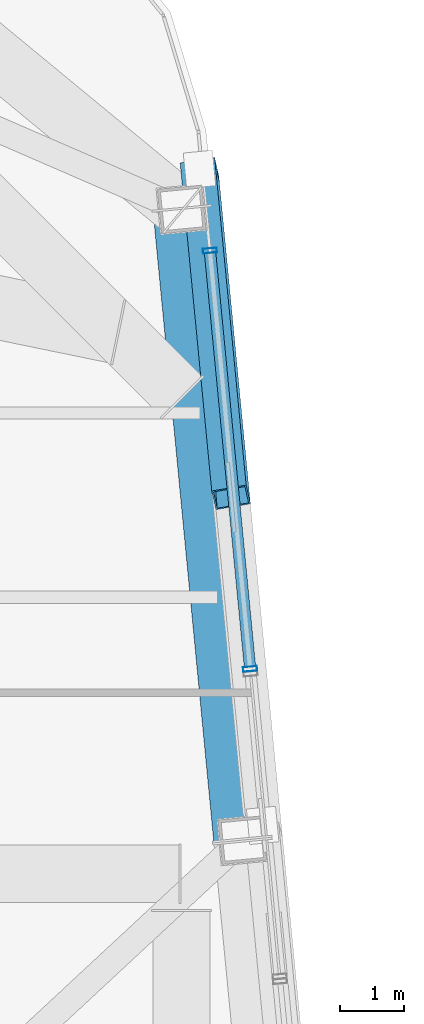
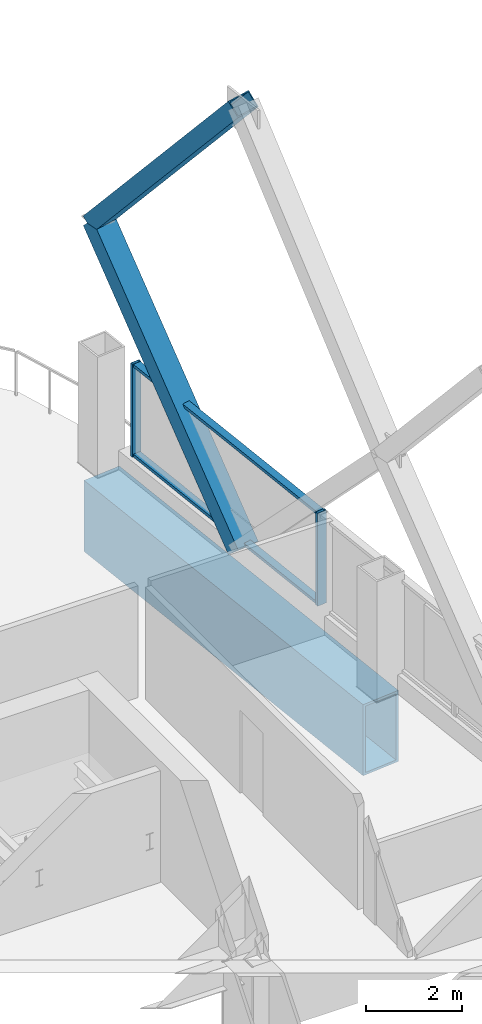
# One storey, part 27 of 37: 6 members, 1 beam, 1 element without a shape of its own.
"""IFC4 building model written with IfcOpenShell, lengths in metres."""

from ifc_helpers import new_model, si_unit, direction, frame, origin, origin_2d, place, context, subcontext, project, spatial, hollow_rectangle, extrude, material, layer, layer_set, material_profile, profile_set, type_object, element, aggregate, save


model = new_model("IFC4")

# Units and contexts
model_context = context("Model", 3, precision=1e-05, world=origin(), true_north=direction((0.0, 1.0)))
body_context = subcontext(model_context, "Body", "Model", "MODEL_VIEW")
ifc_project = project(units=[si_unit("LENGTHUNIT", "METRE"), si_unit("AREAUNIT", "SQUARE_METRE"), si_unit("VOLUMEUNIT", "CUBIC_METRE"), si_unit("PLANEANGLEUNIT", "RADIAN"), si_unit("MASSUNIT", "GRAM", prefix="KILO")], contexts=[model_context])

# Site, building, storey
site_placement = place(None, origin())
site = spatial("IfcSite", under=ifc_project, at=site_placement, CompositionType="ELEMENT")
building_placement = place(site_placement, origin())
building = spatial("IfcBuilding", under=site, at=building_placement, Name="Qhalaya Broadcast Tower", CompositionType="ELEMENT")
storey_placement = place(building_placement, frame((0.0, 0.0, 156.14990234375)))
storey = spatial("IfcBuildingStorey", under=building, at=storey_placement, Name="L45", CompositionType="ELEMENT", Elevation=156.14990234375)

# Beam
ifc_material_1 = material(Name="Structural Steel ASTM A572 Grade 50", Category="steel")
ifc_material_profile_1 = material_profile(ifc_material_1, hollow_rectangle(XDim=0.89990234375, YDim=1.800048828125, WallThickness=0.06005859375, at=origin_2d()), Name="BOX 900x1800x60")
ifc_profile_set_1 = profile_set([ifc_material_profile_1], Name="Structural Steel ASTM A572 Grade 50")
beam_type = type_object("IfcBeamType", Name="Block Cantilever Transfer Box Girder TG1", PredefinedType="USERDEFINED", material=ifc_profile_set_1)
beam_placement = place(storey_placement, frame((16.537353515625, 10.4794921875, -1.119873046875), z_axis=(-0.095850563819, 0.99539573508, 0.0), x_axis=(-0.99539573508, -0.095850563819, 0.0)))
element("IfcBeam", 1, at=beam_placement, inside=storey, type_object=beam_type, Name="L45 TG1 L45-SPR-07", ObjectType="GIRDER", PredefinedType="USERDEFINED", context=body_context, shape_type="SweptSolid", body=[
    extrude(hollow_rectangle(XDim=0.89990234375, YDim=1.800048828125, WallThickness=0.06005859375, at=origin_2d()), origin(), (0.0, 0.0, 1.0), 9.966796875),
])

# Members
ifc_material_profile_2 = material_profile(ifc_material_1, hollow_rectangle(XDim=0.39990234375, YDim=0.550048828125, WallThickness=0.02490234375, at=origin_2d()), Name="BOX 400x550x25")
ifc_profile_set_2 = profile_set([ifc_material_profile_2], Name="Structural Steel ASTM A572 Grade 50")
member_type_1 = type_object("IfcMemberType", Name="Exoskeleton Diamond Diagonal Mid-High EX3", PredefinedType="BRACE", material=ifc_profile_set_2)
member_1_placement = place(storey_placement, frame((16.35986328125, 15.87060546875, 0.360107421875), z_axis=(-0.0665028249, 0.690648993337, 0.72012592113), x_axis=(0.164108649451, -0.704323932435, 0.690649078313)))
element("IfcMember", 2, at=member_1_placement, inside=storey, type_object=member_type_1, Name="B4 Exoskeleton Diamond Brace E3-D2", PredefinedType="BRACE", context=body_context, shape_type="SweptSolid", body=[
    extrude(hollow_rectangle(XDim=0.39990234375, YDim=0.550048828125, WallThickness=0.02490234375, at=origin_2d()), origin(), (0.0, 0.0, 1.0), 7.470703125),
])
member_2_placement = place(storey_placement, frame((15.863037109375, 21.0302734375, 5.739990234375), z_axis=(0.063502926695, -0.659494276547, 0.749022481307), x_axis=(-0.166865547844, 0.73295503349, 0.65949435769)))
element("IfcMember", 3, at=member_2_placement, inside=storey, type_object=member_type_1, Name="B4 Exoskeleton Diamond Brace E3-D4", PredefinedType="BRACE", context=body_context, shape_type="SweptSolid", body=[
    extrude(hollow_rectangle(XDim=0.39990234375, YDim=0.550048828125, WallThickness=0.02490234375, at=origin_2d()), origin(), (0.0, 0.0, 1.0), 7.82373046875),
])

# Curtain wall, members
ifc_material_2 = material(Name="Fired Architectural Terracotta", Category="masonry")
ifc_layer = layer(ifc_material_2, 0.219970703125, Name="Fired Architectural Terracotta")
ifc_layer_set = layer_set([ifc_layer], Name="Fired Architectural Terracotta")
curtain_wall_type = type_object("IfcCurtainWallType", Name="Block-Cap Unitised Terracotta Spandrel Wall CW-07", PredefinedType="NOTDEFINED", material=ifc_layer_set)
curtain_wall_placement = place(storey_placement, origin())
curtain_wall = element("IfcCurtainWall", 4, at=curtain_wall_placement, inside=storey, type_object=curtain_wall_type, Name="L45 Unitised Curtain Wall L45-CW-E5", PredefinedType="NOTDEFINED")
ifc_material_3 = material(Name="Anodised Aluminium 6063-T6", Category="aluminium")
ifc_material_profile_3 = material_profile(ifc_material_3, hollow_rectangle(XDim=0.074951171875, YDim=0.219970703125, WallThickness=0.00390625, at=origin_2d()), Name="ALU-MUL 75x220x4")
ifc_profile_set_3 = profile_set([ifc_material_profile_3], Name="Anodised Aluminium 6063-T6")
member_type_2 = type_object("IfcMemberType", Name="Unitised Curtain-Wall Mullion M01", PredefinedType="MULLION", material=ifc_profile_set_3)
member_3_placement = place(storey_placement, frame((16.659912109375, 13.171875, 0.47998046875), z_axis=(0.0, 0.0, 1.0), x_axis=(-0.095842362816, 0.995396524753, 0.0)))
member_3 = element("IfcMember", 5, at=member_3_placement, type_object=member_type_2, Name="CW-07 mullion 1", PredefinedType="MULLION", context=body_context, shape_type="SweptSolid", body=[
    extrude(hollow_rectangle(XDim=0.074951171875, YDim=0.219970703125, WallThickness=0.00390625, at=origin_2d()), origin(), (0.0, 0.0, 1.0), 2.35009765625),
])
member_4_placement = place(storey_placement, frame((16.026123046875, 19.75244140625, 0.47998046875), z_axis=(0.0, 0.0, 1.0), x_axis=(-0.095842362816, 0.995396524753, 0.0)))
member_4 = element("IfcMember", 6, at=member_4_placement, type_object=member_type_2, Name="CW-07 mullion 2", PredefinedType="MULLION", context=body_context, shape_type="SweptSolid", body=[
    extrude(hollow_rectangle(XDim=0.074951171875, YDim=0.219970703125, WallThickness=0.00390625, at=origin_2d()), origin(), (0.0, 0.0, 1.0), 2.35009765625),
])
ifc_material_profile_4 = material_profile(ifc_material_3, hollow_rectangle(XDim=0.074951171875, YDim=0.179931640625, WallThickness=0.00390625, at=origin_2d()), Name="ALU-TRN 75x180x4")
ifc_profile_set_4 = profile_set([ifc_material_profile_4], Name="Anodised Aluminium 6063-T6")
member_type_3 = type_object("IfcMemberType", Name="Unitised Curtain-Wall Transom T01", PredefinedType="USERDEFINED", material=ifc_profile_set_4)
member_5_placement = place(storey_placement, frame((16.65625, 13.209228515625, 0.517578125), z_axis=(-0.09584906286, 0.995395879612, 0.0), x_axis=(0.0, 0.0, 1.0)))
member_5 = element("IfcMember", 7, at=member_5_placement, type_object=member_type_3, Name="CW-07 transom 1.1", ObjectType="TRANSOM", PredefinedType="USERDEFINED", context=body_context, shape_type="SweptSolid", body=[
    extrude(hollow_rectangle(XDim=0.074951171875, YDim=0.179931640625, WallThickness=0.00390625, at=origin_2d()), origin(), (0.0, 0.0, 1.0), 6.535888671875),
])
member_6_placement = place(storey_placement, frame((16.65625, 13.209228515625, 2.79248046875), z_axis=(-0.09584906286, 0.995395879612, 0.0), x_axis=(0.0, 0.0, 1.0)))
member_6 = element("IfcMember", 8, at=member_6_placement, type_object=member_type_3, Name="CW-07 transom 1.2", ObjectType="TRANSOM", PredefinedType="USERDEFINED", context=body_context, shape_type="SweptSolid", body=[
    extrude(hollow_rectangle(XDim=0.074951171875, YDim=0.179931640625, WallThickness=0.00390625, at=origin_2d()), origin(), (0.0, 0.0, 1.0), 6.535888671875),
])
aggregate(curtain_wall, [member_3, member_4, member_5, member_6])

save(model, "model.ifc")
